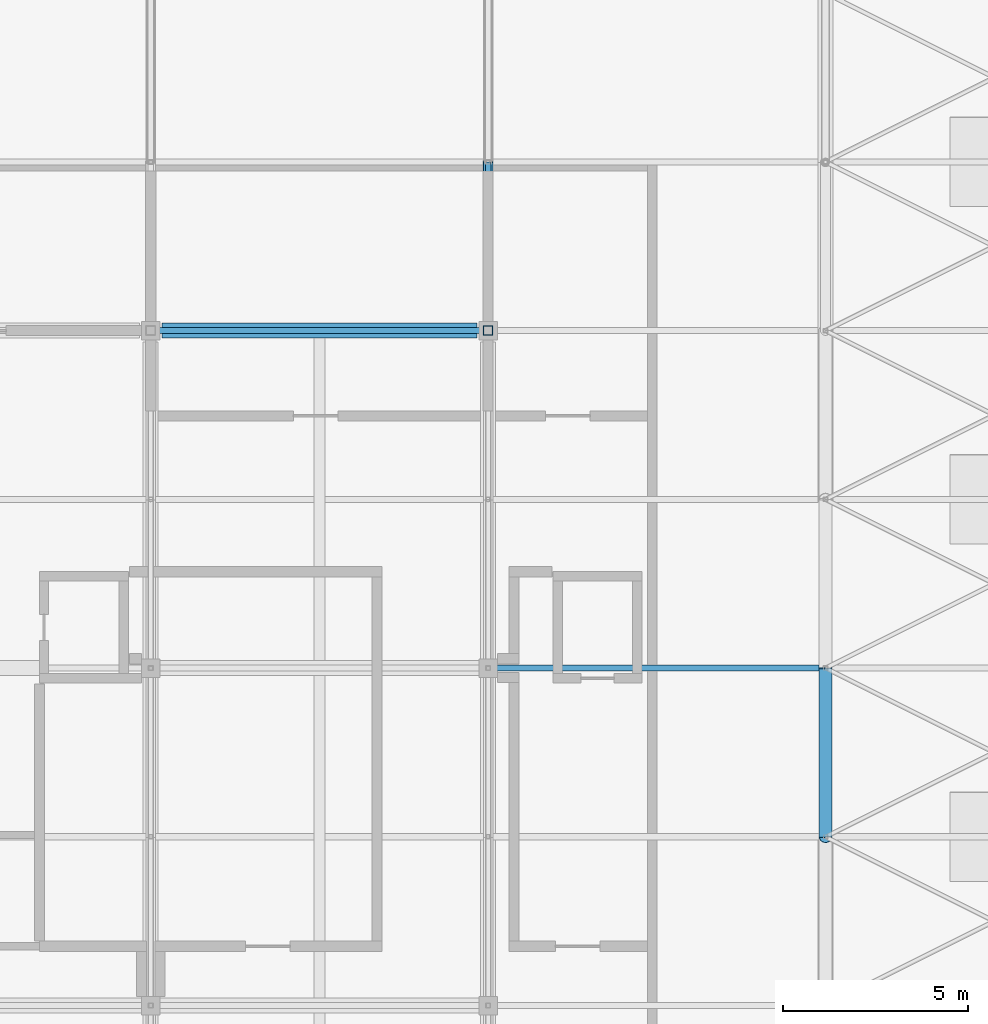
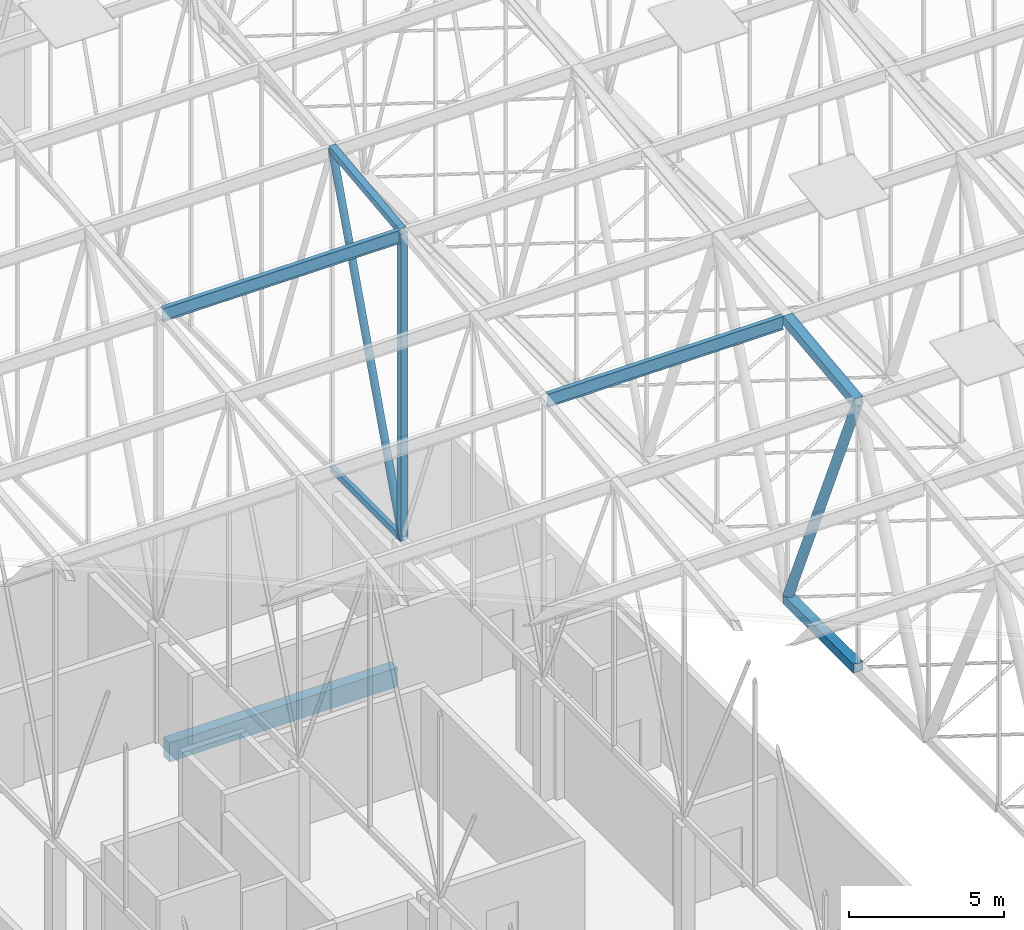
# One storey, part 79 of 500: 9 members, 1 beam.
"""IFC4 building model written with IfcOpenShell, lengths in metres."""

from ifc_helpers import new_model, si_unit, direction, frame, origin, origin_2d, place, context, subcontext, project, spatial, rectangle, hollow_rectangle, hollow_circle, i_section, extrude, material, material_profile, profile_set, type_object, element, save


model = new_model("IFC4")

# Units and contexts
model_context = context("Model", 3, precision=1e-05, world=origin(), true_north=direction((0.0, 1.0)))
body_context = subcontext(model_context, "Body", "Model", "MODEL_VIEW")
ifc_project = project(units=[si_unit("LENGTHUNIT", "METRE"), si_unit("AREAUNIT", "SQUARE_METRE"), si_unit("VOLUMEUNIT", "CUBIC_METRE"), si_unit("PLANEANGLEUNIT", "RADIAN"), si_unit("MASSUNIT", "GRAM", prefix="KILO")], contexts=[model_context])

# Site, building, storey
site_placement = place(None, origin())
site = spatial("IfcSite", under=ifc_project, at=site_placement, CompositionType="ELEMENT")
building_placement = place(site_placement, origin())
building = spatial("IfcBuilding", under=site, at=building_placement, Name="Shirokan Park Arena", CompositionType="ELEMENT")
storey_placement = place(building_placement, frame((0.0, 0.0, 29.1201171875)))
storey = spatial("IfcBuildingStorey", under=building, at=storey_placement, Name="L06", CompositionType="ELEMENT", Elevation=29.1201171875)

# Members
ifc_material_1 = material(Name="Steel ASTM A500 Grade C", Category="steel")
ifc_material_profile_1 = material_profile(ifc_material_1, hollow_rectangle(XDim=0.152099609375, YDim=0.25390625, WallThickness=0.009521484375, at=origin_2d()), Name="HSS254X152.4X9.5")
ifc_profile_set_1 = profile_set([ifc_material_profile_1], Name="Steel ASTM A500 Grade C")
member_type_1 = type_object("IfcMemberType", Name="Bottom chord HSS254X152.4X9.5", PredefinedType="CHORD", material=ifc_profile_set_1)
member_1_placement = place(storey_placement, frame((36.39990234375, 36.39990234375, 4.677001953125), z_axis=(0.0, 1.0, 0.0), x_axis=(-1.0, 0.0, 0.0)))
element("IfcMember", 1, at=member_1_placement, inside=storey, type_object=member_type_1, Name="Truss T05 bottom chord 11", PredefinedType="CHORD", context=body_context, shape_type="SweptSolid", body=[
    extrude(hollow_rectangle(XDim=0.152099609375, YDim=0.25390625, WallThickness=0.009521484375, at=origin_2d()), origin(), (0.0, 0.0, 1.0), 4.550048828125),
])
ifc_material_2 = material(Name="Steel S355J2H", Category="steel")
ifc_material_profile_2 = material_profile(ifc_material_2, hollow_rectangle(XDim=0.35595703125, YDim=0.35595703125, WallThickness=0.025390625, at=origin_2d()), Name="HSS355.6X355.6X25.4")
ifc_profile_set_2 = profile_set([ifc_material_profile_2], Name="Steel S355J2H")
member_type_2 = type_object("IfcMemberType", Name="Bottom chord HSS355.6X355.6X25.4", PredefinedType="CHORD", material=ifc_profile_set_2)
member_2_placement = place(storey_placement, frame((45.5, 22.75, 4.677001953125), z_axis=(0.0, 1.0, 0.0), x_axis=(-1.0, 0.0, 0.0)))
element("IfcMember", 2, at=member_2_placement, inside=storey, type_object=member_type_2, Name="Truss T06 bottom chord 8", PredefinedType="CHORD", context=body_context, shape_type="SweptSolid", body=[
    extrude(hollow_rectangle(XDim=0.35595703125, YDim=0.35595703125, WallThickness=0.025390625, at=origin_2d()), origin(), (0.0, 0.0, 1.0), 4.550048828125),
])
ifc_material_3 = material(Name="Steel ASTM A992", Category="steel")
ifc_material_profile_3 = material_profile(ifc_material_3, i_section(OverallWidth=0.166015625, OverallDepth=0.528076171875, WebThickness=0.009765625, FlangeThickness=0.013671875, at=origin_2d()), Name="W530X74")
ifc_profile_set_3 = profile_set([ifc_material_profile_3], Name="Steel ASTM A992")
member_type_3 = type_object("IfcMemberType", Name="Purlin W530X74", PredefinedType="PURLIN", material=ifc_profile_set_3)
member_3_placement = place(storey_placement, frame((36.527099609375, 27.300048828125, 15.60595703125), z_axis=(1.0, 0.0, 0.0), x_axis=(0.0, 1.0, 0.0)))
element("IfcMember", 3, at=member_3_placement, inside=storey, type_object=member_type_3, Name="Purlin 9 bay 5", PredefinedType="PURLIN", context=body_context, shape_type="SweptSolid", body=[
    extrude(i_section(OverallWidth=0.166015625, OverallDepth=0.528076171875, WebThickness=0.009765625, FlangeThickness=0.013671875, at=origin_2d()), origin(), (0.0, 0.0, 1.0), 8.794921875),
])
member_4_placement = place(storey_placement, frame((27.427001953125, 36.39990234375, 16.64599609375), z_axis=(1.0, 0.0, 0.0), x_axis=(0.0, 1.0, 0.0)))
element("IfcMember", 4, at=member_4_placement, inside=storey, type_object=member_type_3, Name="Purlin 11 bay 4", PredefinedType="PURLIN", context=body_context, shape_type="SweptSolid", body=[
    extrude(i_section(OverallWidth=0.166015625, OverallDepth=0.528076171875, WebThickness=0.009765625, FlangeThickness=0.013671875, at=origin_2d()), origin(), (0.0, 0.0, 1.0), 8.845947265625),
])

# Beam
ifc_material_4 = material(Name="Concrete C35", Category="concrete")
ifc_material_profile_4 = material_profile(ifc_material_4, rectangle(XDim=0.39990234375, YDim=0.75, at=origin_2d()), Name="400x750")
ifc_profile_set_4 = profile_set([ifc_material_profile_4], Name="Concrete C35")
beam_type = type_object("IfcBeamType", Name="RC girder 400x750", PredefinedType="BEAM", material=ifc_profile_set_4)
beam_placement = place(storey_placement, frame((27.60009765625, 36.39990234375, -0.5751953125), z_axis=(1.0, 0.0, 0.0), x_axis=(0.0, 1.0, 0.0)))
element("IfcBeam", 5, at=beam_placement, inside=storey, type_object=beam_type, Name="Girder 4E-5E L06", PredefinedType="BEAM", context=body_context, shape_type="SweptSolid", body=[
    extrude(rectangle(XDim=0.39990234375, YDim=0.75, at=origin_2d()), origin(), (0.0, 0.0, 1.0), 8.499755859375),
])

# Members
ifc_material_profile_5 = material_profile(ifc_material_1, hollow_rectangle(XDim=0.25390625, YDim=0.25390625, WallThickness=0.009521484375, at=origin_2d()), Name="HSS254X254X9.5")
ifc_profile_set_5 = profile_set([ifc_material_profile_5], Name="Steel ASTM A500 Grade C")
member_type_4 = type_object("IfcMemberType", Name="Top chord HSS254X254X9.5", PredefinedType="CHORD", material=ifc_profile_set_5)
member_5_placement = place(storey_placement, frame((36.39990234375, 36.39990234375, 16.782958984375), z_axis=(0.0, 0.993532328996, 0.113549598152), x_axis=(-1.0, 0.0, 0.0)))
element("IfcMember", 6, at=member_5_placement, inside=storey, type_object=member_type_4, Name="Truss T05 top chord 11", PredefinedType="CHORD", context=body_context, shape_type="SweptSolid", body=[
    extrude(hollow_rectangle(XDim=0.25390625, YDim=0.25390625, WallThickness=0.009521484375, at=origin_2d()), origin(), (0.0, 0.0, 1.0), 4.57958984375),
])
ifc_material_profile_6 = material_profile(ifc_material_2, hollow_rectangle(XDim=0.35595703125, YDim=0.35595703125, WallThickness=0.025390625, at=origin_2d()), Name="HSS355.6X355.6X25.4")
ifc_profile_set_6 = profile_set([ifc_material_profile_6], Name="Steel S355J2H")
member_type_5 = type_object("IfcMemberType", Name="Top chord HSS355.6X355.6X25.4", PredefinedType="CHORD", material=ifc_profile_set_6)
member_6_placement = place(storey_placement, frame((45.5, 22.75, 15.141357421875), z_axis=(0.0, 0.993532328996, 0.113549598152), x_axis=(-1.0, 0.0, 0.0)))
element("IfcMember", 7, at=member_6_placement, inside=storey, type_object=member_type_5, Name="Truss T06 top chord 8", PredefinedType="CHORD", context=body_context, shape_type="SweptSolid", body=[
    extrude(hollow_rectangle(XDim=0.35595703125, YDim=0.35595703125, WallThickness=0.025390625, at=origin_2d()), origin(), (0.0, 0.0, 1.0), 4.57958984375),
])
ifc_material_profile_7 = material_profile(ifc_material_1, hollow_circle(Radius=0.136474609375, WallThickness=0.009521484375, at=origin_2d()), Name="HSS273.1X9.5")
ifc_profile_set_7 = profile_set([ifc_material_profile_7], Name="Steel ASTM A500 Grade C")
member_type_6 = type_object("IfcMemberType", Name="Truss diagonal HSS273.1X9.5", PredefinedType="BRACE", material=ifc_profile_set_7)
member_7_placement = place(storey_placement, frame((36.39990234375, 36.39990234375, 4.677001953125), z_axis=(0.0, 0.339029292845, 0.940775817394), x_axis=(-1.0, 0.0, 0.0)))
element("IfcMember", 8, at=member_7_placement, inside=storey, type_object=member_type_6, Name="Truss T05 diagonal 11", PredefinedType="BRACE", context=body_context, shape_type="SweptSolid", body=[
    extrude(hollow_circle(Radius=0.136474609375, WallThickness=0.009521484375, at=origin_2d()), origin(), (0.0, 0.0, 1.0), 13.4208984375),
])
ifc_material_profile_8 = material_profile(ifc_material_1, hollow_circle(Radius=0.177978515625, WallThickness=0.0126953125, at=origin_2d()), Name="HSS355.6X12.7")
ifc_profile_set_8 = profile_set([ifc_material_profile_8], Name="Steel ASTM A500 Grade C")
member_type_7 = type_object("IfcMemberType", Name="Truss diagonal HSS355.6X12.7", PredefinedType="BRACE", material=ifc_profile_set_8)
member_8_placement = place(storey_placement, frame((45.5, 22.75, 15.141357421875), z_axis=(0.0, 0.398750364192, -0.917059511186), x_axis=(-1.0, 0.0, 0.0)))
element("IfcMember", 9, at=member_8_placement, inside=storey, type_object=member_type_7, Name="Truss T06 diagonal 8", PredefinedType="BRACE", context=body_context, shape_type="SweptSolid", body=[
    extrude(hollow_circle(Radius=0.177978515625, WallThickness=0.0126953125, at=origin_2d()), origin(), (0.0, 0.0, 1.0), 11.410888671875),
])
ifc_material_profile_9 = material_profile(ifc_material_1, hollow_rectangle(XDim=0.25390625, YDim=0.25390625, WallThickness=0.009521484375, at=origin_2d()), Name="HSS254X254X9.5")
ifc_profile_set_9 = profile_set([ifc_material_profile_9], Name="Steel ASTM A500 Grade C")
member_type_8 = type_object("IfcMemberType", Name="Truss post HSS254X254X9.5", PredefinedType="POST", material=ifc_profile_set_9)
member_9_placement = place(storey_placement, frame((36.39990234375, 36.39990234375, 4.677001953125), z_axis=(0.0, 0.0, 1.0), x_axis=(1.0, 0.0, 0.0)))
element("IfcMember", 10, at=member_9_placement, inside=storey, type_object=member_type_8, Name="Truss T05 post 11", PredefinedType="POST", context=body_context, shape_type="SweptSolid", body=[
    extrude(hollow_rectangle(XDim=0.25390625, YDim=0.25390625, WallThickness=0.009521484375, at=origin_2d()), origin(), (0.0, 0.0, 1.0), 12.10595703125),
])

save(model, "model.ifc")
